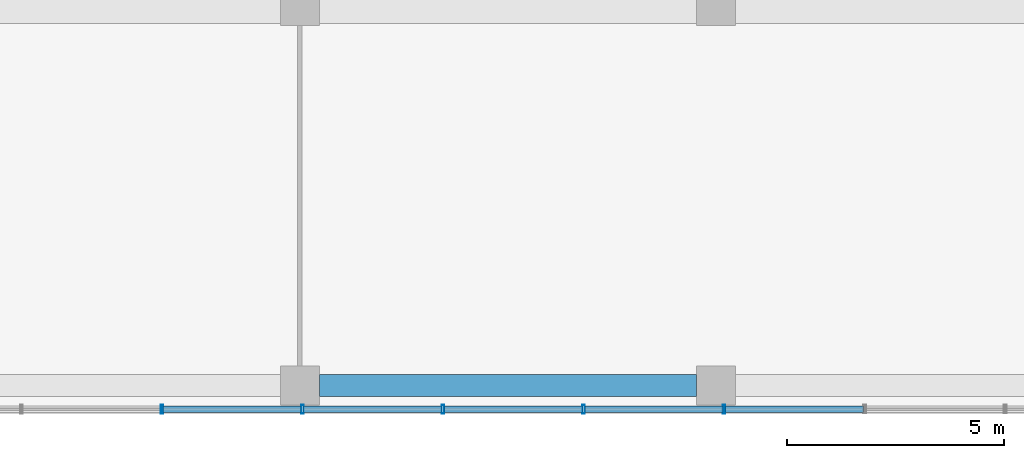
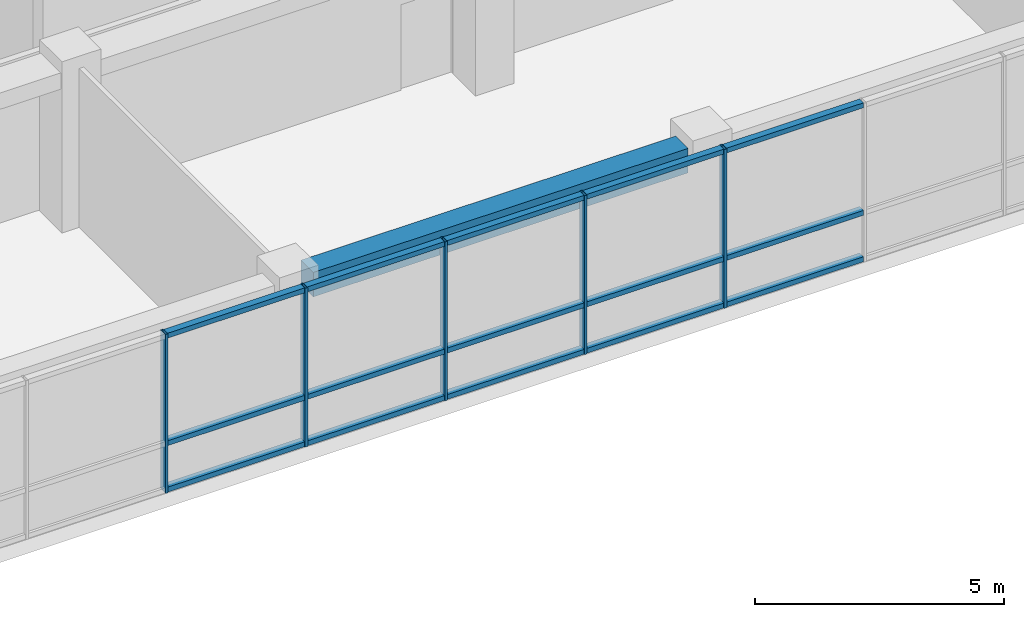
# One storey, part 4 of 72: 20 members, 1 beam, 1 element without a shape of its own.
"""IFC4 building model written with IfcOpenShell, lengths in metres."""

from ifc_helpers import new_model, si_unit, direction, frame, origin, origin_2d, place, context, subcontext, project, spatial, rectangle, hollow_rectangle, extrude, material, layer, layer_set, material_profile, profile_set, type_object, element, aggregate, save


model = new_model("IFC4")

# Units and contexts
model_context = context("Model", 3, precision=1e-05, world=origin(), true_north=direction((0.0, 1.0)))
body_context = subcontext(model_context, "Body", "Model", "MODEL_VIEW")
ifc_project = project(units=[si_unit("LENGTHUNIT", "METRE"), si_unit("AREAUNIT", "SQUARE_METRE"), si_unit("VOLUMEUNIT", "CUBIC_METRE"), si_unit("PLANEANGLEUNIT", "RADIAN"), si_unit("MASSUNIT", "GRAM", prefix="KILO")], contexts=[model_context])

# Site, building, storey
site_placement = place(None, origin())
site = spatial("IfcSite", under=ifc_project, at=site_placement, CompositionType="ELEMENT")
building_placement = place(site_placement, origin())
building = spatial("IfcBuilding", under=site, at=building_placement, Name="Nzadi Deep Aquarium and Research Tower", CompositionType="ELEMENT")
storey_placement = place(building_placement, frame((0.0, 0.0, 31.89990234375)))
storey = spatial("IfcBuildingStorey", under=building, at=storey_placement, Name="L05", CompositionType="ELEMENT", Elevation=31.89990234375)

# Curtain wall, members
ifc_material_1 = material(Name="Aluminium unitised frame", Category="aluminium")
ifc_layer = layer(ifc_material_1, 0.199951171875)
ifc_layer_set = layer_set([ifc_layer], Name="Aluminium unitised frame")
curtain_wall_type = type_object("IfcCurtainWallType", Name="Curtain wall Unitised 200", PredefinedType="NOTDEFINED", material=ifc_layer_set)
curtain_wall_placement = place(storey_placement, origin())
curtain_wall = element("IfcCurtainWall", 1, at=curtain_wall_placement, inside=storey, type_object=curtain_wall_type, Name="Unitised curtain wall blade A south L05", PredefinedType="NOTDEFINED")
ifc_material_2 = material(Name="Aluminium unitised frame", Category="aluminium")
ifc_material_profile_1 = material_profile(ifc_material_2, hollow_rectangle(XDim=0.199951171875, YDim=0.06005859375, WallThickness=0.0048828125, at=origin_2d()))
ifc_profile_set_1 = profile_set([ifc_material_profile_1], Name="Aluminium unitised frame")
member_type_1 = type_object("IfcMemberType", Name="Mullion 60x200 Unitised", PredefinedType="MULLION", material=ifc_profile_set_1)
member_1_placement = place(storey_placement, frame((16.0166015625, -0.10009765625, 0.0), z_axis=(0.0, 0.0, 1.0), x_axis=(0.0, 1.0, 0.0)))
member_1 = element("IfcMember", 2, at=member_1_placement, type_object=member_type_1, Name="CW001 mullion 6", PredefinedType="MULLION", context=body_context, shape_type="SweptSolid", body=[
    extrude(hollow_rectangle(XDim=0.199951171875, YDim=0.06005859375, WallThickness=0.0048828125, at=origin_2d()), origin(), (0.0, 0.0, 1.0), 3.900146484375),
])
member_2_placement = place(storey_placement, frame((19.260009765625, -0.10009765625, 0.0), z_axis=(0.0, 0.0, 1.0), x_axis=(0.0, 1.0, 0.0)))
member_2 = element("IfcMember", 3, at=member_2_placement, type_object=member_type_1, Name="CW001 mullion 7", PredefinedType="MULLION", context=body_context, shape_type="SweptSolid", body=[
    extrude(hollow_rectangle(XDim=0.199951171875, YDim=0.06005859375, WallThickness=0.0048828125, at=origin_2d()), origin(), (0.0, 0.0, 1.0), 3.900146484375),
])
member_3_placement = place(storey_placement, frame((22.50341796875, -0.10009765625, 0.0), z_axis=(0.0, 0.0, 1.0), x_axis=(0.0, 1.0, 0.0)))
member_3 = element("IfcMember", 4, at=member_3_placement, type_object=member_type_1, Name="CW001 mullion 8", PredefinedType="MULLION", context=body_context, shape_type="SweptSolid", body=[
    extrude(hollow_rectangle(XDim=0.199951171875, YDim=0.06005859375, WallThickness=0.0048828125, at=origin_2d()), origin(), (0.0, 0.0, 1.0), 3.900146484375),
])
member_4_placement = place(storey_placement, frame((25.74658203125, -0.10009765625, 0.0), z_axis=(0.0, 0.0, 1.0), x_axis=(0.0, 1.0, 0.0)))
member_4 = element("IfcMember", 5, at=member_4_placement, type_object=member_type_1, Name="CW001 mullion 9", PredefinedType="MULLION", context=body_context, shape_type="SweptSolid", body=[
    extrude(hollow_rectangle(XDim=0.199951171875, YDim=0.06005859375, WallThickness=0.0048828125, at=origin_2d()), origin(), (0.0, 0.0, 1.0), 3.900146484375),
])
member_5_placement = place(storey_placement, frame((28.989990234375, -0.10009765625, 0.0), z_axis=(0.0, 0.0, 1.0), x_axis=(0.0, 1.0, 0.0)))
member_5 = element("IfcMember", 6, at=member_5_placement, type_object=member_type_1, Name="CW001 mullion 10", PredefinedType="MULLION", context=body_context, shape_type="SweptSolid", body=[
    extrude(hollow_rectangle(XDim=0.199951171875, YDim=0.06005859375, WallThickness=0.0048828125, at=origin_2d()), origin(), (0.0, 0.0, 1.0), 3.900146484375),
])

# Beam
ifc_material_3 = material(Name="Concrete C35/45", Category="concrete")
ifc_material_profile_2 = material_profile(ifc_material_3, rectangle(XDim=0.5, YDim=0.60009765625, at=origin_2d()))
ifc_profile_set_2 = profile_set([ifc_material_profile_2], Name="Concrete C35/45")
beam_type = type_object("IfcBeamType", Name="RC 500x600", PredefinedType="BEAM", material=ifc_profile_set_2)
beam_placement = place(storey_placement, frame((19.64990234375, 0.449951171875, 3.60009765625), z_axis=(1.0, 0.0, 0.0), x_axis=(0.0, 1.0, 0.0)))
element("IfcBeam", 7, at=beam_placement, inside=storey, type_object=beam_type, Name="B-Z1-L05-L1-3", PredefinedType="BEAM", context=body_context, shape_type="SweptSolid", body=[
    extrude(rectangle(XDim=0.5, YDim=0.60009765625, at=origin_2d()), origin(), (0.0, 0.0, 1.0), 8.7001953125),
])

# Member
ifc_material_4 = material(Name="Aluminium unitised frame", Category="aluminium")
ifc_material_profile_3 = material_profile(ifc_material_4, hollow_rectangle(XDim=0.159912109375, YDim=0.1201171875, WallThickness=0.0048828125, at=origin_2d()))
ifc_profile_set_3 = profile_set([ifc_material_profile_3], Name="Aluminium unitised frame")
member_type_2 = type_object("IfcMemberType", Name="Transom 120x160 Unitised", PredefinedType="MULLION", material=ifc_profile_set_3)
member_6_placement = place(storey_placement, frame((16.046630859375, -0.10009765625, 0.06005859375), z_axis=(1.0, 0.0, 0.0), x_axis=(0.0, 1.0, 0.0)))
member_6 = element("IfcMember", 8, at=member_6_placement, type_object=member_type_2, Name="CW001 transom 6.1", PredefinedType="MULLION", context=body_context, shape_type="SweptSolid", body=[
    extrude(hollow_rectangle(XDim=0.159912109375, YDim=0.1201171875, WallThickness=0.0048828125, at=origin_2d()), origin(), (0.0, 0.0, 1.0), 3.183349609375),
])

member_7_placement = place(storey_placement, frame((16.046630859375, -0.10009765625, 1.2001953125), z_axis=(1.0, 0.0, 0.0), x_axis=(0.0, 1.0, 0.0)))
member_7 = element("IfcMember", 9, at=member_7_placement, type_object=member_type_2, Name="CW001 transom 6.2", PredefinedType="MULLION", context=body_context, shape_type="SweptSolid", body=[
    extrude(hollow_rectangle(XDim=0.159912109375, YDim=0.1201171875, WallThickness=0.0048828125, at=origin_2d()), origin(), (0.0, 0.0, 1.0), 3.183349609375),
])

member_8_placement = place(storey_placement, frame((16.046630859375, -0.10009765625, 3.840087890625), z_axis=(1.0, 0.0, 0.0), x_axis=(0.0, 1.0, 0.0)))
member_8 = element("IfcMember", 10, at=member_8_placement, type_object=member_type_2, Name="CW001 transom 6.3", PredefinedType="MULLION", context=body_context, shape_type="SweptSolid", body=[
    extrude(hollow_rectangle(XDim=0.159912109375, YDim=0.1201171875, WallThickness=0.0048828125, at=origin_2d()), origin(), (0.0, 0.0, 1.0), 3.183349609375),
])

member_9_placement = place(storey_placement, frame((19.2900390625, -0.10009765625, 0.06005859375), z_axis=(1.0, 0.0, 0.0), x_axis=(0.0, 1.0, 0.0)))
member_9 = element("IfcMember", 11, at=member_9_placement, type_object=member_type_2, Name="CW001 transom 7.1", PredefinedType="MULLION", context=body_context, shape_type="SweptSolid", body=[
    extrude(hollow_rectangle(XDim=0.159912109375, YDim=0.1201171875, WallThickness=0.0048828125, at=origin_2d()), origin(), (0.0, 0.0, 1.0), 3.183349609375),
])

member_10_placement = place(storey_placement, frame((19.2900390625, -0.10009765625, 1.2001953125), z_axis=(1.0, 0.0, 0.0), x_axis=(0.0, 1.0, 0.0)))
member_10 = element("IfcMember", 12, at=member_10_placement, type_object=member_type_2, Name="CW001 transom 7.2", PredefinedType="MULLION", context=body_context, shape_type="SweptSolid", body=[
    extrude(hollow_rectangle(XDim=0.159912109375, YDim=0.1201171875, WallThickness=0.0048828125, at=origin_2d()), origin(), (0.0, 0.0, 1.0), 3.183349609375),
])

member_11_placement = place(storey_placement, frame((19.2900390625, -0.10009765625, 3.840087890625), z_axis=(1.0, 0.0, 0.0), x_axis=(0.0, 1.0, 0.0)))
member_11 = element("IfcMember", 13, at=member_11_placement, type_object=member_type_2, Name="CW001 transom 7.3", PredefinedType="MULLION", context=body_context, shape_type="SweptSolid", body=[
    extrude(hollow_rectangle(XDim=0.159912109375, YDim=0.1201171875, WallThickness=0.0048828125, at=origin_2d()), origin(), (0.0, 0.0, 1.0), 3.183349609375),
])

member_12_placement = place(storey_placement, frame((22.533447265625, -0.10009765625, 0.06005859375), z_axis=(1.0, 0.0, 0.0), x_axis=(0.0, 1.0, 0.0)))
member_12 = element("IfcMember", 14, at=member_12_placement, type_object=member_type_2, Name="CW001 transom 8.1", PredefinedType="MULLION", context=body_context, shape_type="SweptSolid", body=[
    extrude(hollow_rectangle(XDim=0.159912109375, YDim=0.1201171875, WallThickness=0.0048828125, at=origin_2d()), origin(), (0.0, 0.0, 1.0), 3.18310546875),
])

member_13_placement = place(storey_placement, frame((22.533447265625, -0.10009765625, 1.2001953125), z_axis=(1.0, 0.0, 0.0), x_axis=(0.0, 1.0, 0.0)))
member_13 = element("IfcMember", 15, at=member_13_placement, type_object=member_type_2, Name="CW001 transom 8.2", PredefinedType="MULLION", context=body_context, shape_type="SweptSolid", body=[
    extrude(hollow_rectangle(XDim=0.159912109375, YDim=0.1201171875, WallThickness=0.0048828125, at=origin_2d()), origin(), (0.0, 0.0, 1.0), 3.18310546875),
])

member_14_placement = place(storey_placement, frame((22.533447265625, -0.10009765625, 3.840087890625), z_axis=(1.0, 0.0, 0.0), x_axis=(0.0, 1.0, 0.0)))
member_14 = element("IfcMember", 16, at=member_14_placement, type_object=member_type_2, Name="CW001 transom 8.3", PredefinedType="MULLION", context=body_context, shape_type="SweptSolid", body=[
    extrude(hollow_rectangle(XDim=0.159912109375, YDim=0.1201171875, WallThickness=0.0048828125, at=origin_2d()), origin(), (0.0, 0.0, 1.0), 3.18310546875),
])

member_15_placement = place(storey_placement, frame((25.776611328125, -0.10009765625, 0.06005859375), z_axis=(1.0, 0.0, 0.0), x_axis=(0.0, 1.0, 0.0)))
member_15 = element("IfcMember", 17, at=member_15_placement, type_object=member_type_2, Name="CW001 transom 9.1", PredefinedType="MULLION", context=body_context, shape_type="SweptSolid", body=[
    extrude(hollow_rectangle(XDim=0.159912109375, YDim=0.1201171875, WallThickness=0.0048828125, at=origin_2d()), origin(), (0.0, 0.0, 1.0), 3.183349609375),
])

member_16_placement = place(storey_placement, frame((25.776611328125, -0.10009765625, 1.2001953125), z_axis=(1.0, 0.0, 0.0), x_axis=(0.0, 1.0, 0.0)))
member_16 = element("IfcMember", 18, at=member_16_placement, type_object=member_type_2, Name="CW001 transom 9.2", PredefinedType="MULLION", context=body_context, shape_type="SweptSolid", body=[
    extrude(hollow_rectangle(XDim=0.159912109375, YDim=0.1201171875, WallThickness=0.0048828125, at=origin_2d()), origin(), (0.0, 0.0, 1.0), 3.183349609375),
])

member_17_placement = place(storey_placement, frame((25.776611328125, -0.10009765625, 3.840087890625), z_axis=(1.0, 0.0, 0.0), x_axis=(0.0, 1.0, 0.0)))
member_17 = element("IfcMember", 19, at=member_17_placement, type_object=member_type_2, Name="CW001 transom 9.3", PredefinedType="MULLION", context=body_context, shape_type="SweptSolid", body=[
    extrude(hollow_rectangle(XDim=0.159912109375, YDim=0.1201171875, WallThickness=0.0048828125, at=origin_2d()), origin(), (0.0, 0.0, 1.0), 3.183349609375),
])

member_18_placement = place(storey_placement, frame((29.02001953125, -0.10009765625, 0.06005859375), z_axis=(1.0, 0.0, 0.0), x_axis=(0.0, 1.0, 0.0)))
member_18 = element("IfcMember", 20, at=member_18_placement, type_object=member_type_2, Name="CW001 transom 10.1", PredefinedType="MULLION", context=body_context, shape_type="SweptSolid", body=[
    extrude(hollow_rectangle(XDim=0.159912109375, YDim=0.1201171875, WallThickness=0.0048828125, at=origin_2d()), origin(), (0.0, 0.0, 1.0), 3.183349609375),
])

member_19_placement = place(storey_placement, frame((29.02001953125, -0.10009765625, 1.2001953125), z_axis=(1.0, 0.0, 0.0), x_axis=(0.0, 1.0, 0.0)))
member_19 = element("IfcMember", 21, at=member_19_placement, type_object=member_type_2, Name="CW001 transom 10.2", PredefinedType="MULLION", context=body_context, shape_type="SweptSolid", body=[
    extrude(hollow_rectangle(XDim=0.159912109375, YDim=0.1201171875, WallThickness=0.0048828125, at=origin_2d()), origin(), (0.0, 0.0, 1.0), 3.183349609375),
])

member_20_placement = place(storey_placement, frame((29.02001953125, -0.10009765625, 3.840087890625), z_axis=(1.0, 0.0, 0.0), x_axis=(0.0, 1.0, 0.0)))
member_20 = element("IfcMember", 22, at=member_20_placement, type_object=member_type_2, Name="CW001 transom 10.3", PredefinedType="MULLION", context=body_context, shape_type="SweptSolid", body=[
    extrude(hollow_rectangle(XDim=0.159912109375, YDim=0.1201171875, WallThickness=0.0048828125, at=origin_2d()), origin(), (0.0, 0.0, 1.0), 3.183349609375),
])

aggregate(curtain_wall, [member_1, member_2, member_3, member_4, member_5, member_6, member_7, member_8, member_9, member_10, member_11, member_12, member_13, member_14, member_15, member_16, member_17, member_18, member_19, member_20])

save(model, "model.ifc")
